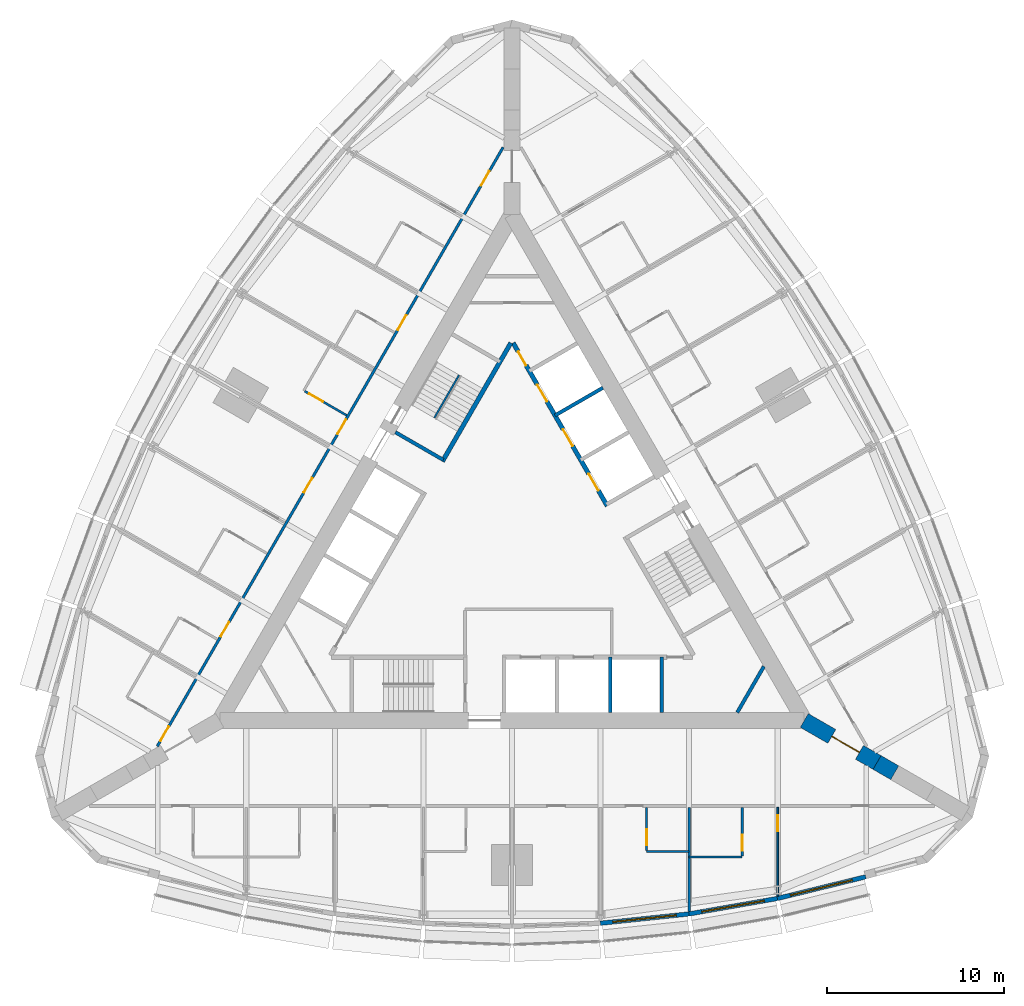
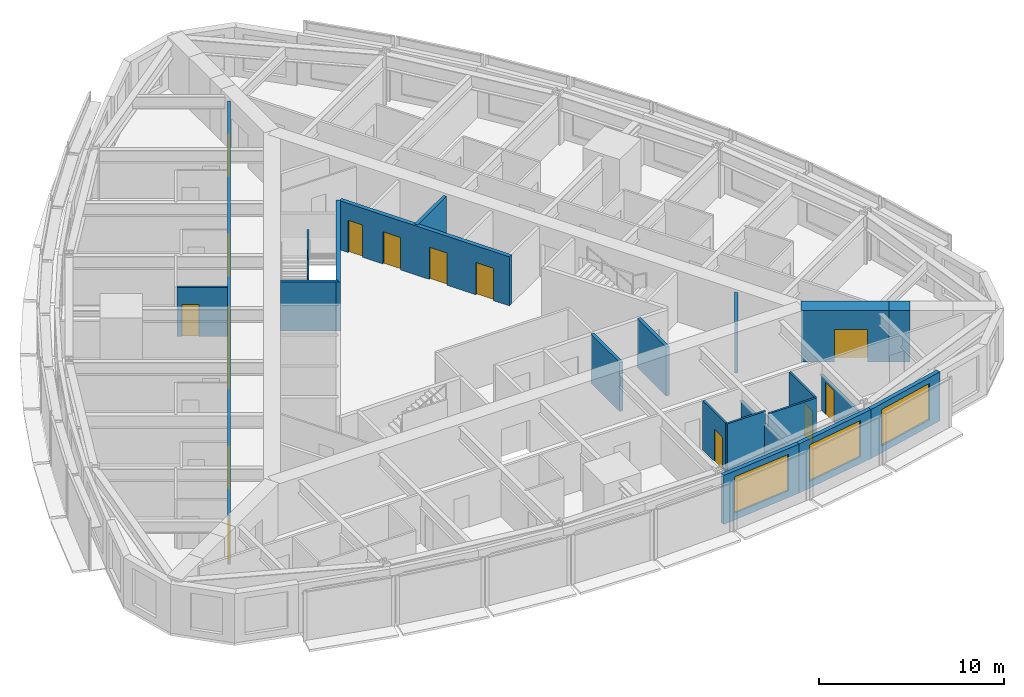
# One storey, part 10 of 14: 21 walls, 15 doors, 3 windows, 18 openings.
"""IFC4 building model written with IfcOpenShell, lengths in metres."""

from ifc_helpers import new_model, si_unit, direction, frame, frame_2d, origin, place, context, subcontext, project, spatial, rectangle, extrude, material, layer, layer_set, type_object, element, fill, save


model = new_model("IFC4")

# Units and contexts
model_context = context("Model", 3, precision=1e-05, world=origin(), true_north=direction((0.0, 1.0)))
body_context = subcontext(model_context, "Body", "Model", "MODEL_VIEW")
ifc_project = project(units=[si_unit("LENGTHUNIT", "METRE"), si_unit("AREAUNIT", "SQUARE_METRE"), si_unit("VOLUMEUNIT", "CUBIC_METRE"), si_unit("PLANEANGLEUNIT", "RADIAN"), si_unit("MASSUNIT", "GRAM", prefix="KILO")], contexts=[model_context])

# Site, building, storey
site_placement = place(None, origin())
site = spatial("IfcSite", under=ifc_project, at=site_placement, CompositionType="ELEMENT")
building_placement = place(site_placement, origin())
building = spatial("IfcBuilding", under=site, at=building_placement, Name="Trikona Tower", CompositionType="ELEMENT")
storey_placement = place(building_placement, frame((0.0, 0.0, 135.10009765625)))
storey = spatial("IfcBuildingStorey", under=building, at=storey_placement, Name="L35", CompositionType="ELEMENT", Elevation=135.10009765625)

# Wall
ifc_material_1 = material(Name="Metal stud and cement board", Category="gypsum")
ifc_layer_1 = layer(ifc_material_1, 0.1201171875)
ifc_layer_set_1 = layer_set([ifc_layer_1], Name="Bathroom wall 120")
wall_type_1 = type_object("IfcWallType", Name="Bathroom wall 120", PredefinedType="PLUMBINGWALL", material=ifc_layer_set_1)
wall_1_placement = place(storey_placement, frame((7.60009765625, -16.92626953125, 0.0), z_axis=(0.0, 0.0, 1.0), x_axis=(1.0, 0.0, 0.0)))
element("IfcWall", 1, at=wall_1_placement, inside=storey, type_object=wall_type_1, Name="Bathroom wall 3503", PredefinedType="PLUMBINGWALL", context=body_context, shape_type="SweptSolid", body=[
    extrude(rectangle(XDim=2.39990234375, YDim=0.1201171875, at=frame_2d((1.199951171875, 0.0))), origin(), (0.0, 0.0, 1.0), 3.23486328125),
])

# Wall, opening, door
wall_2_placement = place(storey_placement, frame((7.60009765625, -14.42626953125, 0.0), z_axis=(0.0, 0.0, 1.0), x_axis=(0.0, -1.0, 0.0)))
wall_2 = element("IfcWall", 2, at=wall_2_placement, inside=storey, type_object=wall_type_1, Name="Bathroom wall 3503", PredefinedType="PLUMBINGWALL", context=body_context, shape_type="SweptSolid", body=[
    extrude(rectangle(XDim=2.43994140625, YDim=0.1201171875, at=frame_2d((1.219970703125, 0.0))), origin(), (0.0, 0.0, 1.0), 3.23486328125),
])
opening_1_placement = place(wall_2_placement, frame((1.25, 0.0, 0.0)))
opening_1 = element("IfcOpeningElement", 3, at=opening_1_placement, cuts=wall_2, Name="Opening D2", PredefinedType="OPENING", context=body_context, shape_type="SweptSolid", body=[
    extrude(rectangle(XDim=0.89990234375, YDim=2.1298828125, at=frame_2d((0.449951171875, 1.06494140625))), frame((0.0, 0.070068359375, 0.0), z_axis=(0.0, -1.0, 0.0), x_axis=(1.0, 0.0, 0.0)), (0.0, 0.0, 1.0), 0.14013671875),
])
ifc_material_2 = material(Name="Steel door frame with solid-core timber leaf", Category="steel")
door_type_1 = type_object("IfcDoorType", Name="Bathroom door 900x2130", OperationType="SLIDING_TO_LEFT", PredefinedType="DOOR", material=ifc_material_2)
door_1_placement = place(opening_1_placement, origin())
door_1 = element("IfcDoor", 4, at=door_1_placement, inside=storey, type_object=door_type_1, Name="Bathroom door 3503", OperationType="SLIDING_TO_LEFT", OverallHeight=2.1298828125, OverallWidth=0.89990234375, PredefinedType="DOOR", context=body_context, shape_type="SweptSolid", body=[
    extrude(rectangle(XDim=0.89990234375, YDim=2.1298828125, at=frame_2d((0.449951171875, 1.06494140625))), frame((0.0, 0.02490234375, 0.0), z_axis=(0.0, -1.0, 0.0), x_axis=(1.0, 0.0, 0.0)), (0.0, 0.0, 1.0), 0.050048828125),
])
fill(opening_1, door_1)

# Wall
wall_3_placement = place(storey_placement, frame((10.0, -17.226318359375, 0.0), z_axis=(0.0, 0.0, 1.0), x_axis=(1.0, 0.0, 0.0)))
element("IfcWall", 5, at=wall_3_placement, inside=storey, type_object=wall_type_1, Name="Bathroom wall 3504.1", PredefinedType="PLUMBINGWALL", context=body_context, shape_type="SweptSolid", body=[
    extrude(rectangle(XDim=3.0, YDim=0.1201171875, at=frame_2d((1.5, 0.0))), origin(), (0.0, 0.0, 1.0), 3.23486328125),
])

# Wall, opening, door
wall_4_placement = place(storey_placement, frame((13.0, -14.42626953125, 0.0), z_axis=(0.0, 0.0, 1.0), x_axis=(0.0, -1.0, 0.0)))
wall_4 = element("IfcWall", 6, at=wall_4_placement, inside=storey, type_object=wall_type_1, Name="Bathroom wall 3504.1", PredefinedType="PLUMBINGWALL", context=body_context, shape_type="SweptSolid", body=[
    extrude(rectangle(XDim=2.739990234375, YDim=0.1201171875, at=frame_2d((1.3701171875, 0.0))), origin(), (0.0, 0.0, 1.0), 3.23486328125),
])
opening_2_placement = place(wall_4_placement, frame((1.550048828125, 0.0, 0.0)))
opening_2 = element("IfcOpeningElement", 7, at=opening_2_placement, cuts=wall_4, Name="Opening D2", PredefinedType="OPENING", context=body_context, shape_type="SweptSolid", body=[
    extrude(rectangle(XDim=0.89990234375, YDim=2.1298828125, at=frame_2d((0.449951171875, 1.06494140625))), frame((0.0, 0.070068359375, 0.0), z_axis=(0.0, -1.0, 0.0), x_axis=(1.0, 0.0, 0.0)), (0.0, 0.0, 1.0), 0.14013671875),
])
door_2_placement = place(opening_2_placement, origin())
door_2 = element("IfcDoor", 8, at=door_2_placement, inside=storey, type_object=door_type_1, Name="Bathroom door 3504.1", OperationType="SLIDING_TO_LEFT", OverallHeight=2.1298828125, OverallWidth=0.89990234375, PredefinedType="DOOR", context=body_context, shape_type="SweptSolid", body=[
    extrude(rectangle(XDim=0.89990234375, YDim=2.1298828125, at=frame_2d((0.449951171875, 1.06494140625))), frame((0.0, 0.02490234375, 0.0), z_axis=(0.0, -1.0, 0.0), x_axis=(1.0, 0.0, 0.0)), (0.0, 0.0, 1.0), 0.050048828125),
])
fill(opening_2, door_2)

wall_5_placement = place(storey_placement, frame((-9.32861328125, 7.6953125, 0.0), z_axis=(0.0, 0.0, 1.0), x_axis=(-0.866035715982, 0.499982138324, 0.0)))
wall_5 = element("IfcWall", 9, at=wall_5_placement, inside=storey, type_object=wall_type_1, Name="Bathroom wall 3513", PredefinedType="PLUMBINGWALL", context=body_context, shape_type="SweptSolid", body=[
    extrude(rectangle(XDim=2.73974609375, YDim=0.1201171875, at=frame_2d((1.369873046875, 0.0))), origin(), (0.0, 0.0, 1.0), 3.23486328125),
])
opening_3_placement = place(wall_5_placement, frame((1.550048828125, 0.0, 0.0)))
opening_3 = element("IfcOpeningElement", 10, at=opening_3_placement, cuts=wall_5, Name="Opening D2", PredefinedType="OPENING", context=body_context, shape_type="SweptSolid", body=[
    extrude(rectangle(XDim=0.89990234375, YDim=2.1298828125, at=frame_2d((0.449951171875, 1.06494140625))), frame((0.0, 0.070068359375, 0.0), z_axis=(0.0, -1.0, 0.0), x_axis=(1.0, 0.0, 0.0)), (0.0, 0.0, 1.0), 0.14013671875),
])
door_3_placement = place(opening_3_placement, origin())
door_3 = element("IfcDoor", 11, at=door_3_placement, inside=storey, type_object=door_type_1, Name="Bathroom door 3513", OperationType="SLIDING_TO_LEFT", OverallHeight=2.1298828125, OverallWidth=0.89990234375, PredefinedType="DOOR", context=body_context, shape_type="SweptSolid", body=[
    extrude(rectangle(XDim=0.89990234375, YDim=2.1298828125, at=frame_2d((0.449951171875, 1.06494140625))), frame((0.0, 0.02490234375, 0.0), z_axis=(0.0, -1.0, 0.0), x_axis=(1.0, 0.0, 0.0)), (0.0, 0.0, 1.0), 0.050048828125),
])
fill(opening_3, door_3)

ifc_material_3 = material(Name="Concrete f'c 10000 psi", Category="concrete")
ifc_layer_2 = layer(ifc_material_3, 0.89990234375)
ifc_layer_set_2 = layer_set([ifc_layer_2], Name="Buttress wall 900")
wall_type_2 = type_object("IfcWallType", Name="Buttress wall 900", PredefinedType="SHEAR", material=ifc_layer_set_2)
wall_6_placement = place(storey_placement, frame((16.5, -9.5263671875, 0.0), z_axis=(0.0, 0.0, 1.0), x_axis=(0.866031398331, -0.499989616998, 0.0)))
wall_6 = element("IfcWall", 12, at=wall_6_placement, inside=storey, type_object=wall_type_2, Name="Buttress wall 1", PredefinedType="SHEAR", context=body_context, shape_type="SweptSolid", body=[
    extrude(rectangle(XDim=4.74609375, YDim=0.89990234375, at=frame_2d((2.373046875, 0.0))), origin(), (0.0, 0.0, 1.0), 3.39990234375),
])
opening_4_placement = place(wall_6_placement, frame((1.800048828125, 0.0, 0.0)))
opening_4 = element("IfcOpeningElement", 13, at=opening_4_placement, cuts=wall_6, Name="Opening D10", PredefinedType="OPENING", context=body_context, shape_type="SweptSolid", body=[
    extrude(rectangle(XDim=1.800048828125, YDim=2.1298828125, at=frame_2d((0.89990234375, 1.06494140625))), frame((0.0, 0.4599609375, 0.0), z_axis=(0.0, -1.0, 0.0), x_axis=(1.0, 0.0, 0.0)), (0.0, 0.0, 1.0), 0.919921875),
])
ifc_material_4 = material(Name="Hollow metal door and frame", Category="steel")
door_type_2 = type_object("IfcDoorType", Name="Cross-corridor door pair 1800x2130", OperationType="DOUBLE_DOOR_DOUBLE_SWING", PredefinedType="DOOR", material=ifc_material_4)
door_4_placement = place(opening_4_placement, origin())
door_4 = element("IfcDoor", 14, at=door_4_placement, inside=storey, type_object=door_type_2, Name="Cross-corridor door 1", OperationType="DOUBLE_DOOR_DOUBLE_SWING", OverallHeight=2.1298828125, OverallWidth=1.800048828125, PredefinedType="DOOR", context=body_context, shape_type="SweptSolid", body=[
    extrude(rectangle(XDim=1.800048828125, YDim=2.1298828125, at=frame_2d((0.89990234375, 1.06494140625))), frame((0.0, 0.02490234375, 0.0), z_axis=(0.0, -1.0, 0.0), x_axis=(1.0, 0.0, 0.0)), (0.0, 0.0, 1.0), 0.050048828125),
])
fill(opening_4, door_4)

# Wall
wall_7_placement = place(storey_placement, frame((20.6103515625, -11.8994140625, 0.0), z_axis=(0.0, 0.0, 1.0), x_axis=(0.866009537788, -0.500027479704, 0.0)))
element("IfcWall", 15, at=wall_7_placement, inside=storey, type_object=wall_type_2, Name="Buttress wall 1 part 2", PredefinedType="SHEAR", context=body_context, shape_type="SweptSolid", body=[
    extrude(rectangle(XDim=1.15478515625, YDim=0.89990234375, at=frame_2d((0.577392578125, 0.0))), origin(), (0.0, 0.0, 1.0), 3.39990234375),
])

# Wall, openings, doors
ifc_material_5 = material(Name="Metal stud and gypsum board, 1-hour", Category="gypsum")
ifc_layer_3 = layer(ifc_material_5, 0.14990234375)
ifc_layer_set_3 = layer_set([ifc_layer_3], Name="Corridor wall 150")
wall_type_3 = type_object("IfcWallType", Name="Corridor wall 150", PredefinedType="PARTITIONING", material=ifc_layer_set_3)
wall_8_placement = place(storey_placement, frame((-0.5, 22.83642578125, 0.0), z_axis=(0.0, 0.0, 1.0), x_axis=(-0.500001677587, -0.866024435227, 0.0)))
wall_8 = element("IfcWall", 16, at=wall_8_placement, inside=storey, type_object=wall_type_3, Name="Corridor wall L35-3", PredefinedType="PARTITIONING", context=body_context, shape_type="SweptSolid", body=[
    extrude(rectangle(XDim=39.053955078125, YDim=0.14990234375, at=frame_2d((19.52685546875, 0.0))), origin(), (0.0, 0.0, 1.0), 3.23486328125),
])
opening_5_placement = place(wall_8_placement, frame((1.558349609375, 0.0, 0.0)))
opening_5 = element("IfcOpeningElement", 17, at=opening_5_placement, cuts=wall_8, Name="Opening D1", PredefinedType="OPENING", context=body_context, shape_type="SweptSolid", body=[
    extrude(rectangle(XDim=0.949951171875, YDim=2.1298828125, at=frame_2d((0.47509765625, 1.06494140625))), frame((0.0, 0.0849609375, 0.0), z_axis=(0.0, -1.0, 0.0), x_axis=(1.0, 0.0, 0.0)), (0.0, 0.0, 1.0), 0.169921875),
])
opening_6_placement = place(wall_8_placement, frame((10.951904296875, 0.0, 0.0)))
opening_6 = element("IfcOpeningElement", 18, at=opening_6_placement, cuts=wall_8, Name="Opening D1", PredefinedType="OPENING", context=body_context, shape_type="SweptSolid", body=[
    extrude(rectangle(XDim=0.949951171875, YDim=2.1298828125, at=frame_2d((0.47509765625, 1.06494140625))), frame((0.0, 0.0849609375, 0.0), z_axis=(0.0, -1.0, 0.0), x_axis=(1.0, 0.0, 0.0)), (0.0, 0.0, 1.0), 0.169921875),
])
opening_7_placement = place(wall_8_placement, frame((17.751953125, 0.0, 0.0)))
opening_7 = element("IfcOpeningElement", 19, at=opening_7_placement, cuts=wall_8, Name="Opening D1", PredefinedType="OPENING", context=body_context, shape_type="SweptSolid", body=[
    extrude(rectangle(XDim=0.949951171875, YDim=2.1298828125, at=frame_2d((0.47509765625, 1.06494140625))), frame((0.0, 0.0849609375, 0.0), z_axis=(0.0, -1.0, 0.0), x_axis=(1.0, 0.0, 0.0)), (0.0, 0.0, 1.0), 0.169921875),
])
opening_8_placement = place(wall_8_placement, frame((21.552001953125, 0.0, 0.0)))
opening_8 = element("IfcOpeningElement", 20, at=opening_8_placement, cuts=wall_8, Name="Opening D1", PredefinedType="OPENING", context=body_context, shape_type="SweptSolid", body=[
    extrude(rectangle(XDim=0.949951171875, YDim=2.1298828125, at=frame_2d((0.47509765625, 1.06494140625))), frame((0.0, 0.0849609375, 0.0), z_axis=(0.0, -1.0, 0.0), x_axis=(1.0, 0.0, 0.0)), (0.0, 0.0, 1.0), 0.169921875),
])
opening_9_placement = place(wall_8_placement, frame((30.951904296875, 0.0, 0.0)))
opening_9 = element("IfcOpeningElement", 21, at=opening_9_placement, cuts=wall_8, Name="Opening D1", PredefinedType="OPENING", context=body_context, shape_type="SweptSolid", body=[
    extrude(rectangle(XDim=0.949951171875, YDim=2.1298828125, at=frame_2d((0.47509765625, 1.06494140625))), frame((0.0, 0.0849609375, 0.0), z_axis=(0.0, -1.0, 0.0), x_axis=(1.0, 0.0, 0.0)), (0.0, 0.0, 1.0), 0.169921875),
])
opening_10_placement = place(wall_8_placement, frame((37.751953125, 0.0, 0.0)))
opening_10 = element("IfcOpeningElement", 22, at=opening_10_placement, cuts=wall_8, Name="Opening D1", PredefinedType="OPENING", context=body_context, shape_type="SweptSolid", body=[
    extrude(rectangle(XDim=0.949951171875, YDim=2.1298828125, at=frame_2d((0.47509765625, 1.06494140625))), frame((0.0, 0.0849609375, 0.0), z_axis=(0.0, -1.0, 0.0), x_axis=(1.0, 0.0, 0.0)), (0.0, 0.0, 1.0), 0.169921875),
])
ifc_material_6 = material(Name="Steel door frame with solid-core timber leaf", Category="steel")
door_type_3 = type_object("IfcDoorType", Name="Guest room door 950x2130", OperationType="SINGLE_SWING_LEFT", PredefinedType="DOOR", material=ifc_material_6)
door_5_placement = place(opening_5_placement, origin())
door_5 = element("IfcDoor", 23, at=door_5_placement, inside=storey, type_object=door_type_3, Name="Room door 3511", OperationType="SINGLE_SWING_LEFT", OverallHeight=2.1298828125, OverallWidth=0.949951171875, PredefinedType="DOOR", context=body_context, shape_type="SweptSolid", body=[
    extrude(rectangle(XDim=0.949951171875, YDim=2.1298828125, at=frame_2d((0.47509765625, 1.06494140625))), frame((0.0, 0.02490234375, 0.0), z_axis=(0.0, -1.0, 0.0), x_axis=(1.0, 0.0, 0.0)), (0.0, 0.0, 1.0), 0.050048828125),
])
fill(opening_5, door_5)
door_6_placement = place(opening_6_placement, origin())
door_6 = element("IfcDoor", 24, at=door_6_placement, inside=storey, type_object=door_type_3, Name="Room door 3512", OperationType="SINGLE_SWING_RIGHT", OverallHeight=2.1298828125, OverallWidth=0.949951171875, PredefinedType="DOOR", context=body_context, shape_type="SweptSolid", body=[
    extrude(rectangle(XDim=0.949951171875, YDim=2.1298828125, at=frame_2d((0.47509765625, 1.06494140625))), frame((0.0, 0.02490234375, 0.0), z_axis=(0.0, -1.0, 0.0), x_axis=(1.0, 0.0, 0.0)), (0.0, 0.0, 1.0), 0.050048828125),
])
fill(opening_6, door_6)
door_7_placement = place(opening_7_placement, origin())
door_7 = element("IfcDoor", 25, at=door_7_placement, inside=storey, type_object=door_type_3, Name="Room door 3513", OperationType="SINGLE_SWING_LEFT", OverallHeight=2.1298828125, OverallWidth=0.949951171875, PredefinedType="DOOR", context=body_context, shape_type="SweptSolid", body=[
    extrude(rectangle(XDim=0.949951171875, YDim=2.1298828125, at=frame_2d((0.47509765625, 1.06494140625))), frame((0.0, 0.02490234375, 0.0), z_axis=(0.0, -1.0, 0.0), x_axis=(1.0, 0.0, 0.0)), (0.0, 0.0, 1.0), 0.050048828125),
])
fill(opening_7, door_7)
door_8_placement = place(opening_8_placement, origin())
door_8 = element("IfcDoor", 26, at=door_8_placement, inside=storey, type_object=door_type_3, Name="Room door 3514", OperationType="SINGLE_SWING_RIGHT", OverallHeight=2.1298828125, OverallWidth=0.949951171875, PredefinedType="DOOR", context=body_context, shape_type="SweptSolid", body=[
    extrude(rectangle(XDim=0.949951171875, YDim=2.1298828125, at=frame_2d((0.47509765625, 1.06494140625))), frame((0.0, 0.02490234375, 0.0), z_axis=(0.0, -1.0, 0.0), x_axis=(1.0, 0.0, 0.0)), (0.0, 0.0, 1.0), 0.050048828125),
])
fill(opening_8, door_8)
door_9_placement = place(opening_9_placement, origin())
door_9 = element("IfcDoor", 27, at=door_9_placement, inside=storey, type_object=door_type_3, Name="Room door 3515", OperationType="SINGLE_SWING_LEFT", OverallHeight=2.1298828125, OverallWidth=0.949951171875, PredefinedType="DOOR", context=body_context, shape_type="SweptSolid", body=[
    extrude(rectangle(XDim=0.949951171875, YDim=2.1298828125, at=frame_2d((0.47509765625, 1.06494140625))), frame((0.0, 0.02490234375, 0.0), z_axis=(0.0, -1.0, 0.0), x_axis=(1.0, 0.0, 0.0)), (0.0, 0.0, 1.0), 0.050048828125),
])
fill(opening_9, door_9)
door_10_placement = place(opening_10_placement, origin())
door_10 = element("IfcDoor", 28, at=door_10_placement, inside=storey, type_object=door_type_3, Name="Room door 3516", OperationType="SINGLE_SWING_RIGHT", OverallHeight=2.1298828125, OverallWidth=0.949951171875, PredefinedType="DOOR", context=body_context, shape_type="SweptSolid", body=[
    extrude(rectangle(XDim=0.949951171875, YDim=2.1298828125, at=frame_2d((0.47509765625, 1.06494140625))), frame((0.0, 0.02490234375, 0.0), z_axis=(0.0, -1.0, 0.0), x_axis=(1.0, 0.0, 0.0)), (0.0, 0.0, 1.0), 0.050048828125),
])
fill(opening_10, door_10)

ifc_material_7 = material(Name="Concrete f'c 8000 psi", Category="concrete")
ifc_layer_4 = layer(ifc_material_7, 0.25)
ifc_layer_set_4 = layer_set([ifc_layer_4], Name="Hub wall 250")
wall_type_4 = type_object("IfcWallType", Name="Hub wall 250", PredefinedType="SOLIDWALL", material=ifc_layer_set_4)
wall_9_placement = place(storey_placement, frame((5.37890625, 2.5859375, 0.0), z_axis=(0.0, 0.0, 1.0), x_axis=(-0.500001375892, 0.866024609411, 0.0)))
wall_9 = element("IfcWall", 29, at=wall_9_placement, inside=storey, type_object=wall_type_4, Name="Lift lobby wall B2", PredefinedType="SOLIDWALL", context=body_context, shape_type="SweptSolid", body=[
    extrude(rectangle(XDim=10.6328125, YDim=0.25, at=frame_2d((5.31640625, 0.0))), origin(), (0.0, 0.0, 1.0), 3.23486328125),
])
opening_11_placement = place(wall_9_placement, frame((9.1640625, 0.0, 0.0)))
opening_11 = element("IfcOpeningElement", 30, at=opening_11_placement, cuts=wall_9, Name="Opening D14", PredefinedType="OPENING", context=body_context, shape_type="SweptSolid", body=[
    extrude(rectangle(XDim=0.89990234375, YDim=2.1298828125, at=frame_2d((0.449951171875, 1.06494140625))), frame((0.0, 0.135009765625, 0.0), z_axis=(0.0, -1.0, 0.0), x_axis=(1.0, 0.0, 0.0)), (0.0, 0.0, 1.0), 0.27001953125),
])
opening_12_placement = place(wall_9_placement, frame((1.0, 0.0, 0.0)))
opening_12 = element("IfcOpeningElement", 31, at=opening_12_placement, cuts=wall_9, Name="Opening LD", PredefinedType="OPENING", context=body_context, shape_type="SweptSolid", body=[
    extrude(rectangle(XDim=1.10009765625, YDim=2.1298828125, at=frame_2d((0.550048828125, 1.06494140625))), frame((0.0, 0.135009765625, 0.0), z_axis=(0.0, -1.0, 0.0), x_axis=(1.0, 0.0, 0.0)), (0.0, 0.0, 1.0), 0.27001953125),
])
opening_13_placement = place(wall_9_placement, frame((3.89990234375, 0.0, 0.0)))
opening_13 = element("IfcOpeningElement", 32, at=opening_13_placement, cuts=wall_9, Name="Opening LD", PredefinedType="OPENING", context=body_context, shape_type="SweptSolid", body=[
    extrude(rectangle(XDim=1.10009765625, YDim=2.1298828125, at=frame_2d((0.550048828125, 1.06494140625))), frame((0.0, 0.135009765625, 0.0), z_axis=(0.0, -1.0, 0.0), x_axis=(1.0, 0.0, 0.0)), (0.0, 0.0, 1.0), 0.27001953125),
])
opening_14_placement = place(wall_9_placement, frame((6.800048828125, 0.0, 0.0)))
opening_14 = element("IfcOpeningElement", 33, at=opening_14_placement, cuts=wall_9, Name="Opening LD", PredefinedType="OPENING", context=body_context, shape_type="SweptSolid", body=[
    extrude(rectangle(XDim=1.10009765625, YDim=2.1298828125, at=frame_2d((0.550048828125, 1.06494140625))), frame((0.0, 0.135009765625, 0.0), z_axis=(0.0, -1.0, 0.0), x_axis=(1.0, 0.0, 0.0)), (0.0, 0.0, 1.0), 0.27001953125),
])
ifc_material_8 = material(Name="Stainless steel lift landing door", Category="steel")
door_type_4 = type_object("IfcDoorType", Name="Lift landing door 1100x2130", OperationType="DOUBLE_DOOR_SLIDING", PredefinedType="USERDEFINED", material=ifc_material_8)
door_11_placement = place(opening_12_placement, origin())
door_11 = element("IfcDoor", 34, at=door_11_placement, inside=storey, type_object=door_type_4, Name="Lift landing door L2-1", ObjectType="LIFT LANDING DOOR", OperationType="DOUBLE_DOOR_SLIDING", OverallHeight=2.1298828125, OverallWidth=1.10009765625, PredefinedType="USERDEFINED", context=body_context, shape_type="SweptSolid", body=[
    extrude(rectangle(XDim=1.10009765625, YDim=2.1298828125, at=frame_2d((0.550048828125, 1.06494140625))), frame((0.0, 0.02490234375, 0.0), z_axis=(0.0, -1.0, 0.0), x_axis=(1.0, 0.0, 0.0)), (0.0, 0.0, 1.0), 0.050048828125),
])
fill(opening_12, door_11)
door_12_placement = place(opening_13_placement, origin())
door_12 = element("IfcDoor", 35, at=door_12_placement, inside=storey, type_object=door_type_4, Name="Lift landing door L2-2", ObjectType="LIFT LANDING DOOR", OperationType="DOUBLE_DOOR_SLIDING", OverallHeight=2.1298828125, OverallWidth=1.10009765625, PredefinedType="USERDEFINED", context=body_context, shape_type="SweptSolid", body=[
    extrude(rectangle(XDim=1.10009765625, YDim=2.1298828125, at=frame_2d((0.550048828125, 1.06494140625))), frame((0.0, 0.02490234375, 0.0), z_axis=(0.0, -1.0, 0.0), x_axis=(1.0, 0.0, 0.0)), (0.0, 0.0, 1.0), 0.050048828125),
])
fill(opening_13, door_12)
door_13_placement = place(opening_14_placement, origin())
door_13 = element("IfcDoor", 36, at=door_13_placement, inside=storey, type_object=door_type_4, Name="Lift landing door L2-3", ObjectType="LIFT LANDING DOOR", OperationType="DOUBLE_DOOR_SLIDING", OverallHeight=2.1298828125, OverallWidth=1.10009765625, PredefinedType="USERDEFINED", context=body_context, shape_type="SweptSolid", body=[
    extrude(rectangle(XDim=1.10009765625, YDim=2.1298828125, at=frame_2d((0.550048828125, 1.06494140625))), frame((0.0, 0.02490234375, 0.0), z_axis=(0.0, -1.0, 0.0), x_axis=(1.0, 0.0, 0.0)), (0.0, 0.0, 1.0), 0.050048828125),
])
fill(opening_14, door_13)
ifc_material_9 = material(Name="Hollow metal door and frame", Category="steel")
door_type_5 = type_object("IfcDoorType", Name="Service room door 900x2130", OperationType="SINGLE_SWING_LEFT", PredefinedType="DOOR", material=ifc_material_9)
door_14_placement = place(opening_11_placement, origin())
door_14 = element("IfcDoor", 37, at=door_14_placement, inside=storey, type_object=door_type_5, Name="Door Housekeeping store HKS", OperationType="SINGLE_SWING_RIGHT", OverallHeight=2.1298828125, OverallWidth=0.89990234375, PredefinedType="DOOR", context=body_context, shape_type="SweptSolid", body=[
    extrude(rectangle(XDim=0.89990234375, YDim=2.1298828125, at=frame_2d((0.449951171875, 1.06494140625))), frame((0.0, 0.02490234375, 0.0), z_axis=(0.0, -1.0, 0.0), x_axis=(1.0, 0.0, 0.0)), (0.0, 0.0, 1.0), 0.050048828125),
])
fill(opening_11, door_14)

# Wall
wall_10_placement = place(storey_placement, frame((-0.0625, 11.794189453125, 0.0), z_axis=(0.0, 0.0, 1.0), x_axis=(-0.500006680225, -0.86602154692, 0.0)))
element("IfcWall", 38, at=wall_10_placement, inside=storey, type_object=wall_type_4, Name="Lift lobby wall C1", PredefinedType="SOLIDWALL", context=body_context, shape_type="SweptSolid", body=[
    extrude(rectangle(XDim=7.73291015625, YDim=0.25, at=frame_2d((3.866455078125, 0.0))), origin(), (0.0, 0.0, 1.0), 3.23486328125),
])

# Wall, opening, window
ifc_material_10 = material(Name="Insulated precast concrete spandrel panel", Category="concrete")
ifc_layer_5 = layer(ifc_material_10, 0.25)
ifc_layer_set_5 = layer_set([ifc_layer_5], Name="Inner skin wall 250")
wall_type_5 = type_object("IfcWallType", Name="Inner skin wall 250", PredefinedType="STANDARD", material=ifc_layer_set_5)
wall_11_placement = place(storey_placement, frame((4.98681640625, -20.975830078125, 0.0), z_axis=(0.0, 0.0, 1.0), x_axis=(0.994534683851, 0.104406717299, 0.0)))
wall_11 = element("IfcWall", 39, at=wall_11_placement, inside=storey, type_object=wall_type_5, Name="External wall L35-05", PredefinedType="STANDARD", context=body_context, shape_type="SweptSolid", body=[
    extrude(rectangle(XDim=5.027587890625, YDim=0.25, at=frame_2d((2.513671875, 0.0))), origin(), (0.0, 0.0, 1.0), 3.23486328125),
])
opening_15_placement = place(wall_11_placement, frame((0.713623046875, 0.0, 0.449951171875)))
opening_15 = element("IfcOpeningElement", 40, at=opening_15_placement, cuts=wall_11, Name="Opening W3624", PredefinedType="OPENING", context=body_context, shape_type="SweptSolid", body=[
    extrude(rectangle(XDim=3.60009765625, YDim=2.39990234375, at=frame_2d((1.800048828125, 1.199951171875))), frame((0.0, 0.135009765625, 0.0), z_axis=(0.0, -1.0, 0.0), x_axis=(1.0, 0.0, 0.0)), (0.0, 0.0, 1.0), 0.27001953125),
])
ifc_material_11 = material(Name="Aluminium-framed double glazing", Category="aluminium")
window_type = type_object("IfcWindowType", Name="Window 3600x2400", PartitioningType="SINGLE_PANEL", PredefinedType="WINDOW", material=ifc_material_11)
window_1_placement = place(opening_15_placement, origin())
window_1 = element("IfcWindow", 41, at=window_1_placement, inside=storey, type_object=window_type, Name="Window 3503", OverallHeight=2.39990234375, OverallWidth=3.60009765625, PartitioningType="SINGLE_PANEL", PredefinedType="WINDOW", context=body_context, shape_type="SweptSolid", body=[
    extrude(rectangle(XDim=3.60009765625, YDim=2.39990234375, at=frame_2d((1.800048828125, 1.199951171875))), frame((0.0, 0.030029296875, 0.0), z_axis=(0.0, -1.0, 0.0), x_axis=(1.0, 0.0, 0.0)), (0.0, 0.0, 1.0), 0.06005859375),
])
fill(opening_15, window_1)

wall_12_placement = place(storey_placement, frame((9.978515625, -20.4521484375, 0.0), z_axis=(0.0, 0.0, 1.0), x_axis=(0.985030467156, 0.172380331752, 0.0)))
wall_12 = element("IfcWall", 42, at=wall_12_placement, inside=storey, type_object=wall_type_5, Name="External wall L35-06", PredefinedType="STANDARD", context=body_context, shape_type="SweptSolid", body=[
    extrude(rectangle(XDim=5.075927734375, YDim=0.25, at=frame_2d((2.5380859375, 0.0))), origin(), (0.0, 0.0, 1.0), 3.23486328125),
])
opening_16_placement = place(wall_12_placement, frame((0.738037109375, 0.0, 0.449951171875)))
opening_16 = element("IfcOpeningElement", 43, at=opening_16_placement, cuts=wall_12, Name="Opening W3624", PredefinedType="OPENING", context=body_context, shape_type="SweptSolid", body=[
    extrude(rectangle(XDim=3.60009765625, YDim=2.39990234375, at=frame_2d((1.800048828125, 1.199951171875))), frame((0.0, 0.135009765625, 0.0), z_axis=(0.0, -1.0, 0.0), x_axis=(1.0, 0.0, 0.0)), (0.0, 0.0, 1.0), 0.27001953125),
])
window_2_placement = place(opening_16_placement, origin())
window_2 = element("IfcWindow", 44, at=window_2_placement, inside=storey, type_object=window_type, Name="Window 3504.1", OverallHeight=2.39990234375, OverallWidth=3.60009765625, PartitioningType="SINGLE_PANEL", PredefinedType="WINDOW", context=body_context, shape_type="SweptSolid", body=[
    extrude(rectangle(XDim=3.60009765625, YDim=2.39990234375, at=frame_2d((1.800048828125, 1.199951171875))), frame((0.0, 0.030029296875, 0.0), z_axis=(0.0, -1.0, 0.0), x_axis=(1.0, 0.0, 0.0)), (0.0, 0.0, 1.0), 0.06005859375),
])
fill(opening_16, window_2)

wall_13_placement = place(storey_placement, frame((14.97021484375, -19.578857421875, 0.0), z_axis=(0.0, 0.0, 1.0), x_axis=(0.971270024053, 0.237980126011, 0.0)))
wall_13 = element("IfcWall", 45, at=wall_13_placement, inside=storey, type_object=wall_type_5, Name="External wall L35-07", PredefinedType="STANDARD", context=body_context, shape_type="SweptSolid", body=[
    extrude(rectangle(XDim=5.14794921875, YDim=0.25, at=frame_2d((2.573974609375, 0.0))), origin(), (0.0, 0.0, 1.0), 3.23486328125),
])
opening_17_placement = place(wall_13_placement, frame((0.77392578125, 0.0, 0.449951171875)))
opening_17 = element("IfcOpeningElement", 46, at=opening_17_placement, cuts=wall_13, Name="Opening W3624", PredefinedType="OPENING", context=body_context, shape_type="SweptSolid", body=[
    extrude(rectangle(XDim=3.60009765625, YDim=2.39990234375, at=frame_2d((1.800048828125, 1.199951171875))), frame((0.0, 0.135009765625, 0.0), z_axis=(0.0, -1.0, 0.0), x_axis=(1.0, 0.0, 0.0)), (0.0, 0.0, 1.0), 0.27001953125),
])
window_3_placement = place(opening_17_placement, origin())
window_3 = element("IfcWindow", 47, at=window_3_placement, inside=storey, type_object=window_type, Name="Window 3504", OverallHeight=2.39990234375, OverallWidth=3.60009765625, PartitioningType="SINGLE_PANEL", PredefinedType="WINDOW", context=body_context, shape_type="SweptSolid", body=[
    extrude(rectangle(XDim=3.60009765625, YDim=2.39990234375, at=frame_2d((1.800048828125, 1.199951171875))), frame((0.0, 0.030029296875, 0.0), z_axis=(0.0, -1.0, 0.0), x_axis=(1.0, 0.0, 0.0)), (0.0, 0.0, 1.0), 0.06005859375),
])
fill(opening_17, window_3)

# Walls
ifc_material_12 = material(Name="Metal stud and gypsum board, 1-hour acoustic", Category="gypsum")
ifc_layer_6 = layer(ifc_material_12, 0.14990234375)
ifc_layer_set_6 = layer_set([ifc_layer_6], Name="Party wall 150")
wall_type_6 = type_object("IfcWallType", Name="Party wall 150", PredefinedType="PARTITIONING", material=ifc_layer_set_6)
wall_14_placement = place(storey_placement, frame((10.0, -14.42626953125, 0.0), z_axis=(0.0, 0.0, 1.0), x_axis=(0.0, -1.0, 0.0)))
element("IfcWall", 48, at=wall_14_placement, inside=storey, type_object=wall_type_6, Name="Partition L35 F1 u10", PredefinedType="PARTITIONING", context=body_context, shape_type="SweptSolid", body=[
    extrude(rectangle(XDim=5.89501953125, YDim=0.14990234375, at=frame_2d((2.947509765625, 0.0))), origin(), (0.0, 0.0, 1.0), 2.38916015625),
])
ifc_material_13 = material(Name="Concrete f'c 8000 psi", Category="concrete")
ifc_layer_7 = layer(ifc_material_13, 0.199951171875)
ifc_layer_set_7 = layer_set([ifc_layer_7], Name="Shaft wall 200")
wall_type_7 = type_object("IfcWallType", Name="Shaft wall 200", PredefinedType="SOLIDWALL", material=ifc_layer_set_7)
for number, where, z_axis, x_axis, name in (
    (49, (5.550048828125, -5.951416015625, 0.0), (0.0, 0.0, 1.0), (0.0, -1.0, 0.0), "Shaft wall A5"),
    (50, (8.449951171875, -5.951416015625, 0.0), (0.0, 0.0, 1.0), (0.0, -1.0, 0.0), "Shaft wall A6"),
    (51, (2.428955078125, 7.695556640625, 0.0), (0.0, 0.0, 1.0), (0.866022959057, 0.500004234368, 0.0), "Shaft wall B5"),
):
    element("IfcWall", number, at=place(storey_placement, frame(where, z_axis=z_axis, x_axis=x_axis)), inside=storey, type_object=wall_type_7, Name=name, PredefinedType="SOLIDWALL", context=body_context, shape_type="SweptSolid", body=[
        extrude(rectangle(XDim=3.125, YDim=0.199951171875, at=frame_2d((1.5625, 0.0))), origin(), (0.0, 0.0, 1.0), 3.23486328125),
    ])
wall_15_placement = place(storey_placement, frame((14.219482421875, -6.476318359375, 0.0), z_axis=(0.0, 0.0, 1.0), x_axis=(-0.499952404951, -0.866052881055, 0.0)))
element("IfcWall", 52, at=wall_15_placement, inside=storey, type_object=wall_type_7, Name="Riser wall L35-RS1", PredefinedType="SOLIDWALL", context=body_context, shape_type="SweptSolid", body=[
    extrude(rectangle(XDim=3.002197265625, YDim=0.199951171875, at=frame_2d((1.5009765625, 0.0))), origin(), (0.0, 0.0, 1.0), 3.23486328125),
])
ifc_material_14 = material(Name="Concrete f'c 8000 psi", Category="concrete")
ifc_layer_8 = layer(ifc_material_14, 0.199951171875)
ifc_layer_set_8 = layer_set([ifc_layer_8], Name="Shaft wall 200 load-bearing")
wall_type_8 = type_object("IfcWallType", Name="Shaft wall 200 load-bearing", PredefinedType="SOLIDWALL", material=ifc_layer_set_8)
wall_16_placement = place(storey_placement, frame((-3.87890625, 5.18408203125, 0.0), z_axis=(0.0, 0.0, 1.0), x_axis=(-0.866022959057, 0.500004234368, 0.0)))
element("IfcWall", 53, at=wall_16_placement, inside=storey, type_object=wall_type_8, Name="Shaft wall C2", PredefinedType="SOLIDWALL", context=body_context, shape_type="SweptSolid", body=[
    extrude(rectangle(XDim=3.125, YDim=0.199951171875, at=frame_2d((1.5625, 0.0))), origin(), (0.0, 0.0, 1.0), 3.23486328125),
])
ifc_material_15 = material(Name="Concrete f'c 5000 psi", Category="concrete")
ifc_layer_9 = layer(ifc_material_15, 0.10009765625)
ifc_layer_set_9 = layer_set([ifc_layer_9], Name="Stair spine wall 100")
wall_type_9 = type_object("IfcWallType", Name="Stair spine wall 100", PredefinedType="SOLIDWALL", material=ifc_layer_set_9)
wall_17_placement = place(storey_placement, frame((-2.98779296875, 9.9775390625, 0.0), z_axis=(0.0, 0.0, 1.0), x_axis=(-0.499992232847, -0.866029888106, 0.0)))
element("IfcWall", 54, at=wall_17_placement, inside=storey, type_object=wall_type_9, Name="Stair C spine wall L35", PredefinedType="SOLIDWALL", context=body_context, shape_type="SweptSolid", body=[
    extrude(rectangle(XDim=2.7939453125, YDim=0.10009765625, at=frame_2d((1.39697265625, 0.0))), origin(), (0.0, 0.0, 1.0), 3.39990234375),
])

# Wall, opening, door
ifc_material_16 = material(Name="Metal stud and gypsum board, acoustic", Category="gypsum")
ifc_layer_10 = layer(ifc_material_16, 0.10009765625)
ifc_layer_set_10 = layer_set([ifc_layer_10], Name="Suite partition 100")
wall_type_10 = type_object("IfcWallType", Name="Suite partition 100", PredefinedType="PARTITIONING", material=ifc_layer_set_10)
wall_18_placement = place(storey_placement, frame((15.0, -14.42626953125, 0.0), z_axis=(0.0, 0.0, 1.0), x_axis=(0.0, -1.0, 0.0)))
wall_18 = element("IfcWall", 55, at=wall_18_placement, inside=storey, type_object=wall_type_10, Name="Suite partition L35 F1 u15", PredefinedType="PARTITIONING", context=body_context, shape_type="SweptSolid", body=[
    extrude(rectangle(XDim=5.0166015625, YDim=0.10009765625, at=frame_2d((2.50830078125, 0.0))), origin(), (0.0, 0.0, 1.0), 2.38916015625),
])
opening_18_placement = place(wall_18_placement, frame((0.449951171875, 0.0, 0.0)))
opening_18 = element("IfcOpeningElement", 56, at=opening_18_placement, cuts=wall_18, Name="Opening D13", PredefinedType="OPENING", context=body_context, shape_type="SweptSolid", body=[
    extrude(rectangle(XDim=0.89990234375, YDim=2.1298828125, at=frame_2d((0.449951171875, 1.06494140625))), frame((0.0, 0.06005859375, 0.0), z_axis=(0.0, -1.0, 0.0), x_axis=(1.0, 0.0, 0.0)), (0.0, 0.0, 1.0), 0.1201171875),
])
ifc_material_17 = material(Name="Steel door frame with solid-core timber leaf", Category="steel")
door_type_6 = type_object("IfcDoorType", Name="Suite door 900x2130", OperationType="SINGLE_SWING_LEFT", PredefinedType="DOOR", material=ifc_material_17)
door_15_placement = place(opening_18_placement, origin())
door_15 = element("IfcDoor", 57, at=door_15_placement, inside=storey, type_object=door_type_6, Name="Suite door 3504", OperationType="SINGLE_SWING_LEFT", OverallHeight=2.1298828125, OverallWidth=0.89990234375, PredefinedType="DOOR", context=body_context, shape_type="SweptSolid", body=[
    extrude(rectangle(XDim=0.89990234375, YDim=2.1298828125, at=frame_2d((0.449951171875, 1.06494140625))), frame((0.0, 0.02490234375, 0.0), z_axis=(0.0, -1.0, 0.0), x_axis=(1.0, 0.0, 0.0)), (0.0, 0.0, 1.0), 0.050048828125),
])
fill(opening_18, door_15)

save(model, "model.ifc")
